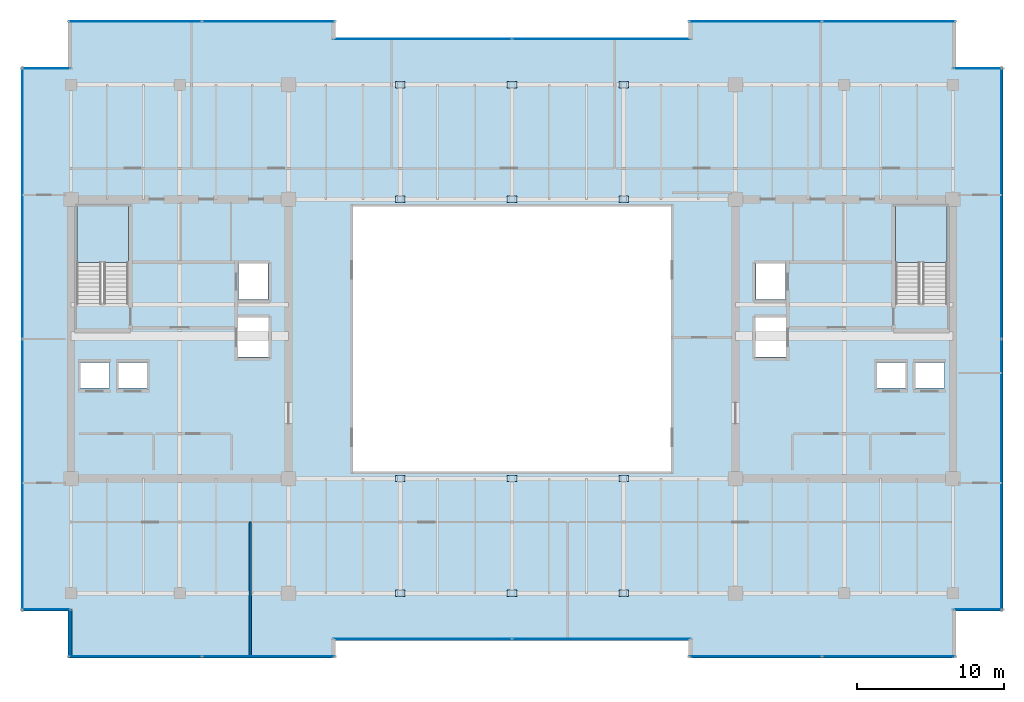
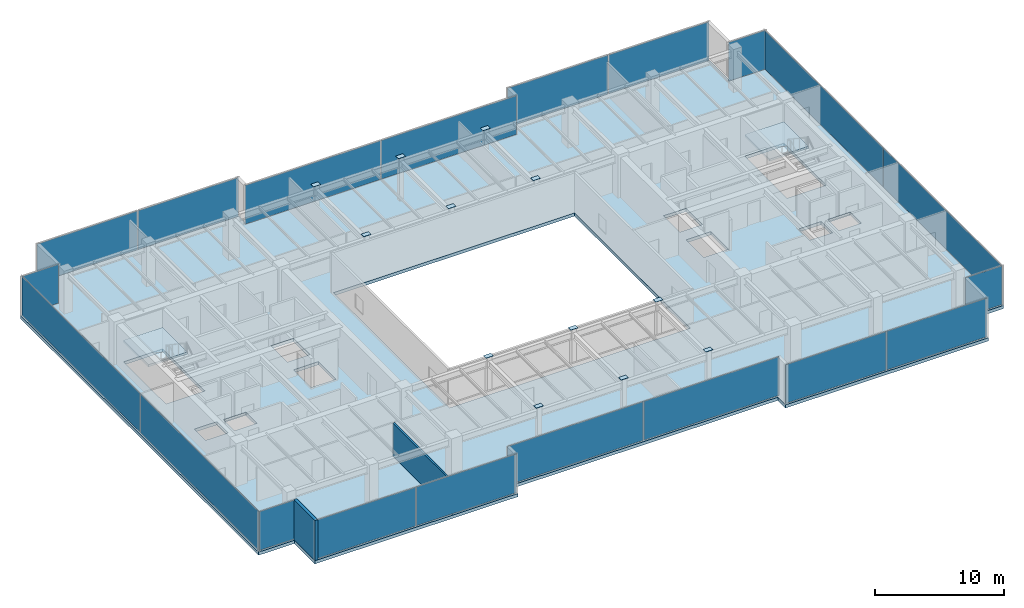
# One storey, part 27 of 33: 32 plates, 3 slabs, 2 walls, 14 elements without a shape of their own.
"""IFC4 building model written with IfcOpenShell, lengths in metres."""

from ifc_helpers import new_model, si_unit, direction, frame, frame_2d, origin, origin_2d, place, context, subcontext, project, spatial, polyline, rectangle, outline, extrude, source, transform, mapped, material, layer, layer_set, type_object, type_shapes, element, aggregate, save


model = new_model("IFC4")

# Units and contexts
model_context = context("Model", 3, precision=1e-05, world=origin(), true_north=direction((0.0, 1.0)))
body_context = subcontext(model_context, "Body", "Model", "MODEL_VIEW")
ifc_project = project(units=[si_unit("LENGTHUNIT", "METRE"), si_unit("AREAUNIT", "SQUARE_METRE"), si_unit("VOLUMEUNIT", "CUBIC_METRE"), si_unit("PLANEANGLEUNIT", "RADIAN"), si_unit("MASSUNIT", "GRAM", prefix="KILO")], contexts=[model_context])

# Site, building, storey
site_placement = place(None, origin())
site = spatial("IfcSite", under=ifc_project, at=site_placement, CompositionType="ELEMENT")
building_placement = place(site_placement, origin())
building = spatial("IfcBuilding", under=site, at=building_placement, Name="Haelvirn Gate Laboratories", CompositionType="ELEMENT")
storey_placement = place(building_placement, frame((0.0, 0.0, 287.5)))
storey = spatial("IfcBuildingStorey", under=building, at=storey_placement, Name="L69", CompositionType="ELEMENT", Elevation=287.5)

# Stair, slab
ifc_material_1 = material(Name="Concrete C40/50", Category="concrete")
stair_type = type_object("IfcStairType", Name="ST-DOG-1650-R22", PredefinedType="HALF_TURN_STAIR", material=ifc_material_1)
stair_1_placement = place(storey_placement, origin())
stair_1 = element("IfcStair", 1, at=stair_1_placement, inside=storey, type_object=stair_type, Name="L69 Escape Stair ST1", PredefinedType="HALF_TURN_STAIR")
ifc_layer_1 = layer(ifc_material_1, 0.199951171875, Name="SL-STAIR-LND")
ifc_layer_set_1 = layer_set([ifc_layer_1], Name="Concrete C40/50")
slab_type_1 = type_object("IfcSlabType", Name="SL-STAIR-LND", PredefinedType="LANDING", material=ifc_layer_set_1)
slab_1_placement = place(storey_placement, frame((0.0, 0.0, 1.85009765625)))
slab_1 = element("IfcSlab", 2, at=slab_1_placement, type_object=slab_type_1, Name="ST1 landing 1", PredefinedType="LANDING", context=body_context, shape_type="SweptSolid", body=[
    extrude(outline(polyline([(11.300048828125, 29.5), (11.300048828125, 33.35009765625), (7.800048828125, 33.35009765625), (7.800048828125, 29.5), (11.300048828125, 29.5)])), origin(), (0.0, 0.0, 1.0), 0.199951171875),
])
aggregate(stair_1, [slab_1])

stair_2_placement = place(storey_placement, origin())
stair_2 = element("IfcStair", 3, at=stair_2_placement, inside=storey, type_object=stair_type, Name="L69 Escape Stair ST2", PredefinedType="HALF_TURN_STAIR")
slab_2_placement = place(storey_placement, frame((0.0, 0.0, 1.85009765625)))
slab_2 = element("IfcSlab", 4, at=slab_2_placement, type_object=slab_type_1, Name="ST2 landing 1", PredefinedType="LANDING", context=body_context, shape_type="SweptSolid", body=[
    extrude(outline(polyline([(67.0, 29.5), (67.0, 33.35009765625), (63.5, 33.35009765625), (63.5, 29.5), (67.0, 29.5)])), origin(), (0.0, 0.0, 1.0), 0.199951171875),
])
aggregate(stair_2, [slab_2])

# Slab
ifc_layer_2 = layer(ifc_material_1, 0.300048828125, Name="SL-Z3-300")
ifc_layer_set_2 = layer_set([ifc_layer_2], Name="Concrete C40/50")
slab_type_2 = type_object("IfcSlabType", Name="SL-Z3-300", PredefinedType="FLOOR", material=ifc_layer_set_2)
slab_3_placement = place(storey_placement, frame((0.0, 0.0, -0.300048828125)))
element("IfcSlab", 5, at=slab_3_placement, inside=storey, type_object=slab_type_2, Name="L69 Structural Slab MAIN", PredefinedType="FLOOR", context=body_context, shape_type="SweptSolid", body=[
    extrude(outline(polyline([(7.199951171875, 2.60009765625), (25.39990234375, 2.60009765625), (25.39990234375, 3.800048828125), (49.39990234375, 3.800048828125), (49.39990234375, 2.60009765625), (67.60009765625, 2.60009765625), (67.60009765625, 5.800048828125), (70.800048828125, 5.800048828125), (70.800048828125, 42.800048828125), (67.60009765625, 42.800048828125), (67.60009765625, 46.0), (49.39990234375, 46.0), (49.39990234375, 44.800048828125), (25.39990234375, 44.800048828125), (25.39990234375, 46.0), (7.199951171875, 46.0), (7.199951171875, 42.800048828125), (4.0, 42.800048828125), (4.0, 5.800048828125), (7.199951171875, 5.800048828125), (7.199951171875, 2.60009765625)]), holes=[polyline([(26.60009765625, 15.300048828125), (48.199951171875, 15.300048828125), (48.199951171875, 33.300048828125), (26.60009765625, 33.300048828125), (26.60009765625, 15.300048828125)]), polyline([(11.300048828125, 26.780029296875), (11.300048828125, 33.35009765625), (7.800048828125, 33.35009765625), (7.800048828125, 26.780029296875), (11.300048828125, 26.780029296875)]), polyline([(67.0, 26.780029296875), (67.0, 33.35009765625), (63.5, 33.35009765625), (63.5, 26.780029296875), (67.0, 26.780029296875)]), polyline([(7.989990234375, 20.969970703125), (10.010009765625, 20.969970703125), (10.010009765625, 22.7099609375), (7.989990234375, 22.7099609375), (7.989990234375, 20.969970703125)]), polyline([(10.590087890625, 20.969970703125), (12.610107421875, 20.969970703125), (12.610107421875, 22.7099609375), (10.590087890625, 22.7099609375), (10.590087890625, 20.969970703125)]), polyline([(18.7900390625, 26.969970703125), (20.81005859375, 26.969970703125), (20.81005859375, 29.510009765625), (18.7900390625, 29.510009765625), (18.7900390625, 26.969970703125)]), polyline([(18.68994140625, 23.070068359375), (20.909912109375, 23.070068359375), (20.909912109375, 25.81005859375), (18.68994140625, 25.81005859375), (18.68994140625, 23.070068359375)]), polyline([(64.7900390625, 20.969970703125), (66.81005859375, 20.969970703125), (66.81005859375, 22.7099609375), (64.7900390625, 22.7099609375), (64.7900390625, 20.969970703125)]), polyline([(62.18994140625, 20.969970703125), (64.2099609375, 20.969970703125), (64.2099609375, 22.7099609375), (62.18994140625, 22.7099609375), (62.18994140625, 20.969970703125)]), polyline([(53.989990234375, 26.969970703125), (56.010009765625, 26.969970703125), (56.010009765625, 29.510009765625), (53.989990234375, 29.510009765625), (53.989990234375, 26.969970703125)]), polyline([(53.889892578125, 23.070068359375), (56.110107421875, 23.070068359375), (56.110107421875, 25.81005859375), (53.889892578125, 25.81005859375), (53.889892578125, 23.070068359375)])]), origin(), (0.0, 0.0, 1.0), 0.300048828125),
])

# Plates
ifc_material_2 = material(Name="Steel SM420", Category="steel")
ifc_layer_3 = layer(ifc_material_2, 0.028076171875, Name="PL-NODE-CN1")
ifc_layer_set_3 = layer_set([ifc_layer_3], Name="Steel SM420")
plate_type_1 = type_object("IfcPlateType", Name="PL-NODE-CN1", PredefinedType="USERDEFINED", material=ifc_layer_set_3)
shared_shape_1 = source(origin(), body_context, "Body", "SweptSolid", [
    extrude(rectangle(XDim=0.64990234375, YDim=0.419921875, at=origin_2d()), origin(), (0.0, 0.0, 1.0), 0.028076171875),
])
type_shapes(plate_type_1, [shared_shape_1])
for number, where, z_axis, x_axis, name in (
    (6, (29.800048828125, 7.0, 4.10009765625), (0.0, 0.0, 1.0), (1.0, 0.0, 0.0), "L69 Steel Truss Node Plate CN1"),
    (7, (29.800048828125, 14.800048828125, 4.10009765625), (0.0, 0.0, 1.0), (1.0, 0.0, 0.0), "L69 Steel Truss Node Plate CN1"),
    (8, (29.800048828125, 33.800048828125, 4.10009765625), (0.0, 0.0, 1.0), (1.0, 0.0, 0.0), "L69 Steel Truss Node Plate CN1"),
    (9, (29.800048828125, 41.60009765625, 4.10009765625), (0.0, 0.0, 1.0), (1.0, 0.0, 0.0), "L69 Steel Truss Node Plate CN1"),
    (10, (37.39990234375, 7.0, 4.10009765625), (0.0, 0.0, 1.0), (1.0, 0.0, 0.0), "L69 Steel Truss Node Plate CN1"),
    (11, (37.39990234375, 14.800048828125, 4.10009765625), (0.0, 0.0, 1.0), (1.0, 0.0, 0.0), "L69 Steel Truss Node Plate CN1"),
    (12, (37.39990234375, 33.800048828125, 4.10009765625), (0.0, 0.0, 1.0), (1.0, 0.0, 0.0), "L69 Steel Truss Node Plate CN1"),
    (13, (37.39990234375, 41.60009765625, 4.10009765625), (0.0, 0.0, 1.0), (1.0, 0.0, 0.0), "L69 Steel Truss Node Plate CN1"),
    (14, (45.0, 7.0, 4.10009765625), (0.0, 0.0, 1.0), (1.0, 0.0, 0.0), "L69 Steel Truss Node Plate CN1"),
    (15, (45.0, 14.800048828125, 4.10009765625), (0.0, 0.0, 1.0), (1.0, 0.0, 0.0), "L69 Steel Truss Node Plate CN1"),
    (16, (45.0, 33.800048828125, 4.10009765625), (0.0, 0.0, 1.0), (1.0, 0.0, 0.0), "L69 Steel Truss Node Plate CN1"),
    (17, (45.0, 41.60009765625, 4.10009765625), (0.0, 0.0, 1.0), (1.0, 0.0, 0.0), "L69 Steel Truss Node Plate CN1"),
):
    element("IfcPlate", number, at=place(storey_placement, frame(where, z_axis=z_axis, x_axis=x_axis)), inside=storey, type_object=plate_type_1, Name=name, ObjectType="END_CAP_PLATE", PredefinedType="USERDEFINED", context=body_context, shape_type="MappedRepresentation", body=[
        mapped(shared_shape_1, transform((0.0, 0.0, 0.0), scale=1.0)),
    ])

# Curtain wall, plates
ifc_material_3 = material(Name="Anodised bronze unitised aluminium & triple low-E glass", Category="aluminium")
ifc_layer_4 = layer(ifc_material_3, 0.176025390625, Name="CW-SYS-4")
ifc_layer_set_4 = layer_set([ifc_layer_4], Name="Anodised bronze unitised aluminium & triple low-E glass")
curtain_wall_type_1 = type_object("IfcCurtainWallType", Name="CW-SYS-4", PredefinedType="NOTDEFINED", material=ifc_layer_set_4)
curtain_wall_1_placement = place(storey_placement, origin())
curtain_wall_1 = element("IfcCurtainWall", 18, at=curtain_wall_1_placement, inside=storey, type_object=curtain_wall_type_1, Name="L69 Unitised Curtain Wall CW-L69-P0-E00-1", PredefinedType="NOTDEFINED")
ifc_material_4 = material(Name="Acoustic laminated bronze triple IGU 36 mm", Category="glass")
ifc_layer_5 = layer(ifc_material_4, 0.035888671875, Name="CWP-IGU-36")
ifc_layer_set_5 = layer_set([ifc_layer_5], Name="Acoustic laminated bronze triple IGU 36 mm")
plate_type_2 = type_object("IfcPlateType", Name="CWP-IGU-36", PredefinedType="CURTAIN_PANEL", material=ifc_layer_set_5)
shared_shape_2 = source(origin(), body_context, "Body", "SweptSolid", [
    extrude(rectangle(XDim=8.9951171875, YDim=0.035888671875, at=origin_2d()), origin(), (0.0, 0.0, 1.0), 3.669921875),
])
plate_1_placement = place(storey_placement, frame((11.767578125, 2.699951171875, 0.06494140625), z_axis=(0.0, 0.0, 1.0), x_axis=(1.0, 0.0, 0.0)))
plate_1 = element("IfcPlate", 19, at=plate_1_placement, type_object=plate_type_2, Name="CW4 panel 1.1", PredefinedType="CURTAIN_PANEL", context=body_context, shape_type="MappedRepresentation", body=[
    mapped(shared_shape_2, transform((0.0, 0.0, 0.0), scale=1.0)),
])
plate_2_placement = place(storey_placement, frame((20.83251953125, 2.699951171875, 0.06494140625), z_axis=(0.0, 0.0, 1.0), x_axis=(1.0, 0.0, 0.0)))
plate_2 = element("IfcPlate", 20, at=plate_2_placement, type_object=plate_type_2, Name="CW4 panel 2.1", PredefinedType="CURTAIN_PANEL", context=body_context, shape_type="MappedRepresentation", body=[
    mapped(shared_shape_2, transform((0.0, 0.0, 0.0), scale=1.0)),
])
aggregate(curtain_wall_1, [plate_1, plate_2])

curtain_wall_2_placement = place(storey_placement, origin())
curtain_wall_2 = element("IfcCurtainWall", 21, at=curtain_wall_2_placement, inside=storey, type_object=curtain_wall_type_1, Name="L69 Unitised Curtain Wall CW-L69-P0-E04-1", PredefinedType="NOTDEFINED")
plate_3_placement = place(storey_placement, frame((53.967529296875, 2.699951171875, 0.06494140625), z_axis=(0.0, 0.0, 1.0), x_axis=(1.0, 0.0, 0.0)))
plate_3 = element("IfcPlate", 22, at=plate_3_placement, type_object=plate_type_2, Name="CW4 panel 1.1", PredefinedType="CURTAIN_PANEL", context=body_context, shape_type="MappedRepresentation", body=[
    mapped(shared_shape_2, transform((0.0, 0.0, 0.0), scale=1.0)),
])
plate_4_placement = place(storey_placement, frame((63.032470703125, 2.699951171875, 0.06494140625), z_axis=(0.0, 0.0, 1.0), x_axis=(1.0, 0.0, 0.0)))
plate_4 = element("IfcPlate", 23, at=plate_4_placement, type_object=plate_type_2, Name="CW4 panel 2.1", PredefinedType="CURTAIN_PANEL", context=body_context, shape_type="MappedRepresentation", body=[
    mapped(shared_shape_2, transform((0.0, 0.0, 0.0), scale=1.0)),
])
aggregate(curtain_wall_2, [plate_3, plate_4])

curtain_wall_3_placement = place(storey_placement, origin())
curtain_wall_3 = element("IfcCurtainWall", 24, at=curtain_wall_3_placement, inside=storey, type_object=curtain_wall_type_1, Name="L69 Unitised Curtain Wall CW-L69-P0-E10-1", PredefinedType="NOTDEFINED")
plate_5_placement = place(storey_placement, frame((53.967529296875, 45.89990234375, 0.06494140625), z_axis=(0.0, 0.0, 1.0), x_axis=(1.0, 0.0, 0.0)))
plate_5 = element("IfcPlate", 25, at=plate_5_placement, type_object=plate_type_2, Name="CW4 panel 1.1", PredefinedType="CURTAIN_PANEL", context=body_context, shape_type="MappedRepresentation", body=[
    mapped(shared_shape_2, transform((0.0, 0.0, 0.0), scale=1.0)),
])
plate_6_placement = place(storey_placement, frame((63.032470703125, 45.89990234375, 0.06494140625), z_axis=(0.0, 0.0, 1.0), x_axis=(1.0, 0.0, 0.0)))
plate_6 = element("IfcPlate", 26, at=plate_6_placement, type_object=plate_type_2, Name="CW4 panel 2.1", PredefinedType="CURTAIN_PANEL", context=body_context, shape_type="MappedRepresentation", body=[
    mapped(shared_shape_2, transform((0.0, 0.0, 0.0), scale=1.0)),
])
aggregate(curtain_wall_3, [plate_5, plate_6])

curtain_wall_4_placement = place(storey_placement, origin())
curtain_wall_4 = element("IfcCurtainWall", 27, at=curtain_wall_4_placement, inside=storey, type_object=curtain_wall_type_1, Name="L69 Unitised Curtain Wall CW-L69-P0-E14-1", PredefinedType="NOTDEFINED")
plate_7_placement = place(storey_placement, frame((11.767578125, 45.89990234375, 0.06494140625), z_axis=(0.0, 0.0, 1.0), x_axis=(1.0, 0.0, 0.0)))
plate_7 = element("IfcPlate", 28, at=plate_7_placement, type_object=plate_type_2, Name="CW4 panel 1.1", PredefinedType="CURTAIN_PANEL", context=body_context, shape_type="MappedRepresentation", body=[
    mapped(shared_shape_2, transform((0.0, 0.0, 0.0), scale=1.0)),
])
plate_8_placement = place(storey_placement, frame((20.83251953125, 45.89990234375, 0.06494140625), z_axis=(0.0, 0.0, 1.0), x_axis=(1.0, 0.0, 0.0)))
plate_8 = element("IfcPlate", 29, at=plate_8_placement, type_object=plate_type_2, Name="CW4 panel 2.1", PredefinedType="CURTAIN_PANEL", context=body_context, shape_type="MappedRepresentation", body=[
    mapped(shared_shape_2, transform((0.0, 0.0, 0.0), scale=1.0)),
])
aggregate(curtain_wall_4, [plate_7, plate_8])

curtain_wall_5_placement = place(storey_placement, origin())
curtain_wall_5 = element("IfcCurtainWall", 30, at=curtain_wall_5_placement, inside=storey, type_object=curtain_wall_type_1, Name="L69 Unitised Curtain Wall CW-L69-P0-E02-1", PredefinedType="NOTDEFINED")
shared_shape_3 = source(origin(), body_context, "Body", "SweptSolid", [
    extrude(rectangle(XDim=12.135009765625, YDim=0.035888671875, at=origin_2d()), origin(), (0.0, 0.0, 1.0), 3.669921875),
])
plate_9_placement = place(storey_placement, frame((31.297607421875, 3.89990234375, 0.06494140625), z_axis=(0.0, 0.0, 1.0), x_axis=(1.0, 0.0, 0.0)))
plate_9 = element("IfcPlate", 31, at=plate_9_placement, type_object=plate_type_2, Name="CW4 panel 1.1", PredefinedType="CURTAIN_PANEL", context=body_context, shape_type="MappedRepresentation", body=[
    mapped(shared_shape_3, transform((0.0, 0.0, 0.0), scale=1.0)),
])
plate_10_placement = place(storey_placement, frame((43.50244140625, 3.89990234375, 0.06494140625), z_axis=(0.0, 0.0, 1.0), x_axis=(1.0, 0.0, 0.0)))
plate_10 = element("IfcPlate", 32, at=plate_10_placement, type_object=plate_type_2, Name="CW4 panel 2.1", PredefinedType="CURTAIN_PANEL", context=body_context, shape_type="MappedRepresentation", body=[
    mapped(shared_shape_3, transform((0.0, 0.0, 0.0), scale=1.0)),
])
aggregate(curtain_wall_5, [plate_9, plate_10])

curtain_wall_6_placement = place(storey_placement, origin())
curtain_wall_6 = element("IfcCurtainWall", 33, at=curtain_wall_6_placement, inside=storey, type_object=curtain_wall_type_1, Name="L69 Unitised Curtain Wall CW-L69-P0-E12-1", PredefinedType="NOTDEFINED")
plate_11_placement = place(storey_placement, frame((31.297607421875, 44.699951171875, 0.06494140625), z_axis=(0.0, 0.0, 1.0), x_axis=(1.0, 0.0, 0.0)))
plate_11 = element("IfcPlate", 34, at=plate_11_placement, type_object=plate_type_2, Name="CW4 panel 1.1", PredefinedType="CURTAIN_PANEL", context=body_context, shape_type="MappedRepresentation", body=[
    mapped(shared_shape_3, transform((0.0, 0.0, 0.0), scale=1.0)),
])
plate_12_placement = place(storey_placement, frame((43.50244140625, 44.699951171875, 0.06494140625), z_axis=(0.0, 0.0, 1.0), x_axis=(1.0, 0.0, 0.0)))
plate_12 = element("IfcPlate", 35, at=plate_12_placement, type_object=plate_type_2, Name="CW4 panel 2.1", PredefinedType="CURTAIN_PANEL", context=body_context, shape_type="MappedRepresentation", body=[
    mapped(shared_shape_3, transform((0.0, 0.0, 0.0), scale=1.0)),
])
aggregate(curtain_wall_6, [plate_11, plate_12])

# Curtain wall, plate
ifc_layer_6 = layer(ifc_material_3, 0.181884765625, Name="CW-SYS-5")
ifc_layer_set_6 = layer_set([ifc_layer_6], Name="Anodised bronze unitised aluminium & triple low-E glass")
curtain_wall_type_2 = type_object("IfcCurtainWallType", Name="CW-SYS-5", PredefinedType="NOTDEFINED", material=ifc_layer_set_6)
curtain_wall_7_placement = place(storey_placement, origin())
curtain_wall_7 = element("IfcCurtainWall", 36, at=curtain_wall_7_placement, inside=storey, type_object=curtain_wall_type_2, Name="L69 Unitised Curtain Wall CW-L69-P0-E06-1", PredefinedType="NOTDEFINED")
ifc_material_5 = material(Name="Clear low-iron notched-corner triple IGU 42 mm", Category="glass")
ifc_layer_7 = layer(ifc_material_5, 0.0419921875, Name="CWP-NTC-42")
ifc_layer_set_7 = layer_set([ifc_layer_7], Name="Clear low-iron notched-corner triple IGU 42 mm")
plate_type_3 = type_object("IfcPlateType", Name="CWP-NTC-42", PredefinedType="CURTAIN_PANEL", material=ifc_layer_set_7)
shared_shape_4 = source(origin(), body_context, "Body", "SweptSolid", [
    extrude(rectangle(XDim=3.280029296875, YDim=0.0419921875, at=origin_2d()), origin(), (0.0, 0.0, 1.0), 3.669921875),
])
type_shapes(plate_type_3, [shared_shape_4])
plate_13_placement = place(storey_placement, frame((69.080078125, 5.89990234375, 0.06494140625), z_axis=(0.0, 0.0, 1.0), x_axis=(1.0, 0.0, 0.0)))
plate_13 = element("IfcPlate", 37, at=plate_13_placement, type_object=plate_type_3, Name="CW5 panel 1.1", PredefinedType="CURTAIN_PANEL", context=body_context, shape_type="MappedRepresentation", body=[
    mapped(shared_shape_4, transform((0.0, 0.0, 0.0), scale=1.0)),
])
aggregate(curtain_wall_7, [plate_13])

curtain_wall_8_placement = place(storey_placement, origin())
curtain_wall_8 = element("IfcCurtainWall", 38, at=curtain_wall_8_placement, inside=storey, type_object=curtain_wall_type_2, Name="L69 Unitised Curtain Wall CW-L69-P0-E08-1", PredefinedType="NOTDEFINED")
plate_14_placement = place(storey_placement, frame((69.080078125, 42.699951171875, 0.06494140625), z_axis=(0.0, 0.0, 1.0), x_axis=(1.0, 0.0, 0.0)))
plate_14 = element("IfcPlate", 39, at=plate_14_placement, type_object=plate_type_3, Name="CW5 panel 1.1", PredefinedType="CURTAIN_PANEL", context=body_context, shape_type="MappedRepresentation", body=[
    mapped(shared_shape_4, transform((0.0, 0.0, 0.0), scale=1.0)),
])
aggregate(curtain_wall_8, [plate_14])

curtain_wall_9_placement = place(storey_placement, origin())
curtain_wall_9 = element("IfcCurtainWall", 40, at=curtain_wall_9_placement, inside=storey, type_object=curtain_wall_type_2, Name="L69 Unitised Curtain Wall CW-L69-P0-E16-1", PredefinedType="NOTDEFINED")
plate_15_placement = place(storey_placement, frame((5.719970703125, 42.699951171875, 0.06494140625), z_axis=(0.0, 0.0, 1.0), x_axis=(1.0, 0.0, 0.0)))
plate_15 = element("IfcPlate", 41, at=plate_15_placement, type_object=plate_type_3, Name="CW5 panel 1.1", PredefinedType="CURTAIN_PANEL", context=body_context, shape_type="MappedRepresentation", body=[
    mapped(shared_shape_4, transform((0.0, 0.0, 0.0), scale=1.0)),
])
aggregate(curtain_wall_9, [plate_15])

curtain_wall_10_placement = place(storey_placement, origin())
curtain_wall_10 = element("IfcCurtainWall", 42, at=curtain_wall_10_placement, inside=storey, type_object=curtain_wall_type_2, Name="L69 Unitised Curtain Wall CW-L69-P0-E18-1", PredefinedType="NOTDEFINED")
plate_16_placement = place(storey_placement, frame((5.719970703125, 5.89990234375, 0.06494140625), z_axis=(0.0, 0.0, 1.0), x_axis=(1.0, 0.0, 0.0)))
plate_16 = element("IfcPlate", 43, at=plate_16_placement, type_object=plate_type_3, Name="CW5 panel 1.1", PredefinedType="CURTAIN_PANEL", context=body_context, shape_type="MappedRepresentation", body=[
    mapped(shared_shape_4, transform((0.0, 0.0, 0.0), scale=1.0)),
])
aggregate(curtain_wall_10, [plate_16])

# Curtain wall, plates
curtain_wall_11_placement = place(storey_placement, origin())
curtain_wall_11 = element("IfcCurtainWall", 44, at=curtain_wall_11_placement, inside=storey, type_object=curtain_wall_type_1, Name="L69 Unitised Curtain Wall CW-L69-P0-E07", PredefinedType="NOTDEFINED")
shared_shape_5 = source(origin(), body_context, "Body", "SweptSolid", [
    extrude(rectangle(XDim=18.39501953125, YDim=0.035888671875, at=origin_2d()), origin(), (0.0, 0.0, 1.0), 3.669921875),
])
type_shapes(plate_type_2, [shared_shape_2, shared_shape_3, shared_shape_5])
plate_17_placement = place(storey_placement, frame((70.699951171875, 15.0673828125, 0.06494140625), z_axis=(0.0, 0.0, 1.0), x_axis=(0.0, 1.0, 0.0)))
plate_17 = element("IfcPlate", 45, at=plate_17_placement, type_object=plate_type_2, Name="CW4 panel 1.1", PredefinedType="CURTAIN_PANEL", context=body_context, shape_type="MappedRepresentation", body=[
    mapped(shared_shape_5, transform((0.0, 0.0, 0.0), scale=1.0)),
])
plate_18_placement = place(storey_placement, frame((70.699951171875, 33.532470703125, 0.06494140625), z_axis=(0.0, 0.0, 1.0), x_axis=(0.0, 1.0, 0.0)))
plate_18 = element("IfcPlate", 46, at=plate_18_placement, type_object=plate_type_2, Name="CW4 panel 2.1", PredefinedType="CURTAIN_PANEL", context=body_context, shape_type="MappedRepresentation", body=[
    mapped(shared_shape_5, transform((0.0, 0.0, 0.0), scale=1.0)),
])
aggregate(curtain_wall_11, [plate_17, plate_18])

curtain_wall_12_placement = place(storey_placement, origin())
curtain_wall_12 = element("IfcCurtainWall", 47, at=curtain_wall_12_placement, inside=storey, type_object=curtain_wall_type_1, Name="L69 Unitised Curtain Wall CW-L69-P0-E17", PredefinedType="NOTDEFINED")
plate_19_placement = place(storey_placement, frame((4.10009765625, 33.532470703125, 0.06494140625), z_axis=(0.0, 0.0, 1.0), x_axis=(0.0, -1.0, 0.0)))
plate_19 = element("IfcPlate", 48, at=plate_19_placement, type_object=plate_type_2, Name="CW4 panel 1.1", PredefinedType="CURTAIN_PANEL", context=body_context, shape_type="MappedRepresentation", body=[
    mapped(shared_shape_5, transform((0.0, 0.0, 0.0), scale=1.0)),
])
plate_20_placement = place(storey_placement, frame((4.10009765625, 15.0673828125, 0.06494140625), z_axis=(0.0, 0.0, 1.0), x_axis=(0.0, -1.0, 0.0)))
plate_20 = element("IfcPlate", 49, at=plate_20_placement, type_object=plate_type_2, Name="CW4 panel 2.1", PredefinedType="CURTAIN_PANEL", context=body_context, shape_type="MappedRepresentation", body=[
    mapped(shared_shape_5, transform((0.0, 0.0, 0.0), scale=1.0)),
])
aggregate(curtain_wall_12, [plate_19, plate_20])

# Walls
ifc_material_6 = material(Name="Thermally-broken bronze aluminium rainscreen & mineral wool", Category="aluminium")
ifc_layer_8 = layer(ifc_material_6, 0.280029296875, Name="EW-TERR-280")
ifc_layer_set_8 = layer_set([ifc_layer_8], Name="Thermally-broken bronze aluminium rainscreen & mineral wool")
wall_type_1 = type_object("IfcWallType", Name="EW-TERR-280", PredefinedType="STANDARD", material=ifc_layer_set_8)
wall_1_placement = place(storey_placement, frame((7.340087890625, 5.887939453125, 0.0), z_axis=(0.0, 0.0, 1.0), x_axis=(0.0, -1.0, 0.0)))
element("IfcWall", 50, at=wall_1_placement, inside=storey, type_object=wall_type_1, Name="L69 Atrium Recess Bronze Return Wall 19", PredefinedType="STANDARD", context=body_context, shape_type="SweptSolid", body=[
    extrude(rectangle(XDim=3.287841796875, YDim=0.280029296875, at=frame_2d((1.64404296875, 0.0))), origin(), (0.0, 0.0, 1.0), 3.800048828125),
])
ifc_material_7 = material(Name="Double-layer acoustic gypsum laboratory partition", Category="gypsum")
ifc_layer_9 = layer(ifc_material_7, 0.159912109375, Name="IW-ACOUST-160")
ifc_layer_set_9 = layer_set([ifc_layer_9], Name="Double-layer acoustic gypsum laboratory partition")
wall_type_2 = type_object("IfcWallType", Name="IW-ACOUST-160", PredefinedType="PARTITIONING", material=ifc_layer_set_9)
wall_2_placement = place(storey_placement, frame((19.60009765625, 2.7099609375, 0.0), z_axis=(0.0, 0.0, 1.0), x_axis=(0.0, 1.0, 0.0)))
element("IfcWall", 51, at=wall_2_placement, inside=storey, type_object=wall_type_2, Name="L69 Interior Wall IW-L69-SDIV-01", PredefinedType="PARTITIONING", context=body_context, shape_type="SweptSolid", body=[
    extrude(rectangle(XDim=9.130126953125, YDim=0.159912109375, at=frame_2d((4.56494140625, 0.0))), origin(), (0.0, 0.0, 1.0), 3.135009765625),
])

save(model, "model.ifc")
